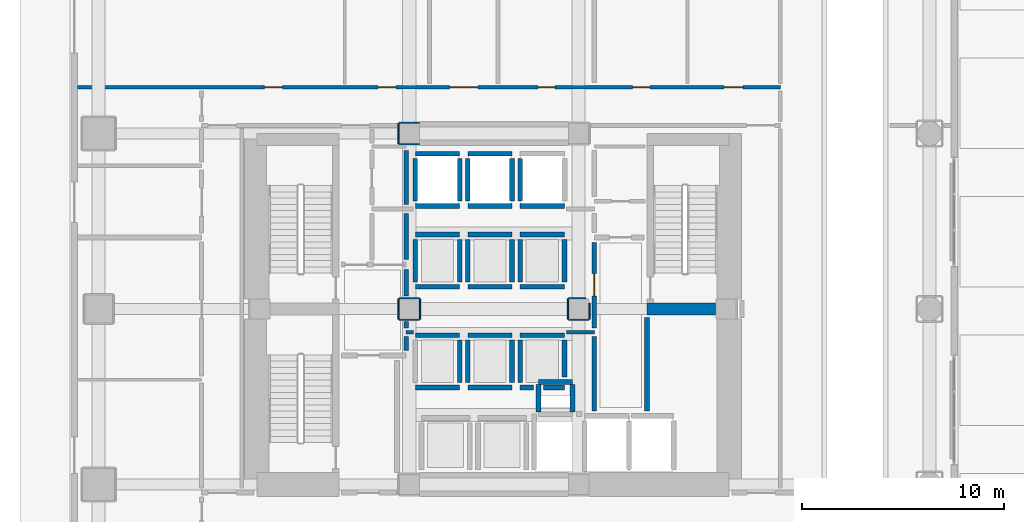
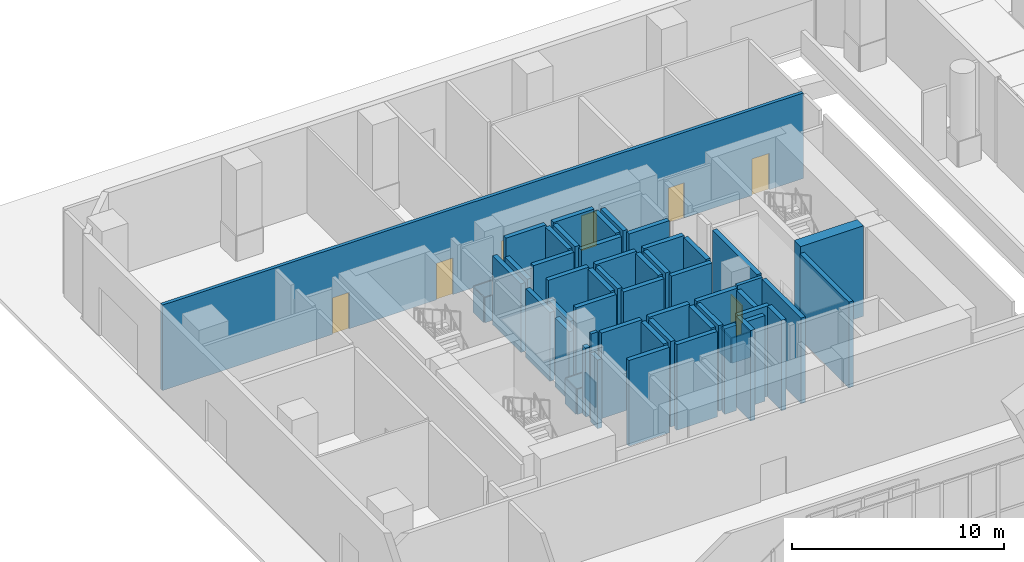
# One storey, part 21 of 30: 60 walls, 7 doors, 7 openings.
"""IFC4 building model written with IfcOpenShell, lengths in metres."""

from ifc_helpers import new_model, si_unit, direction, frame, frame_2d, origin, place, context, subcontext, project, spatial, rectangle, extrude, material, layer, layer_set, type_object, element, fill, save


model = new_model("IFC4")

# Units and contexts
model_context = context("Model", 3, precision=1e-05, world=origin(), true_north=direction((0.0, 1.0)))
body_context = subcontext(model_context, "Body", "Model", "MODEL_VIEW")
ifc_project = project(units=[si_unit("LENGTHUNIT", "METRE"), si_unit("AREAUNIT", "SQUARE_METRE"), si_unit("VOLUMEUNIT", "CUBIC_METRE"), si_unit("PLANEANGLEUNIT", "RADIAN"), si_unit("MASSUNIT", "GRAM", prefix="KILO")], contexts=[model_context])

# Site, building, storey
site_placement = place(None, origin())
site = spatial("IfcSite", under=ifc_project, at=site_placement, CompositionType="ELEMENT")
building_placement = place(site_placement, origin())
building = spatial("IfcBuilding", under=site, at=building_placement, Name="Solanera Arch Residences", CompositionType="ELEMENT")
storey_placement = place(building_placement, origin())
storey = spatial("IfcBuildingStorey", under=building, at=storey_placement, Name="L00", CompositionType="ELEMENT", Elevation=0.0)

# Walls
ifc_material_1 = material(Name="Fire-Rated Gypsum Stud Partition", Category="gypsum")
ifc_layer_1 = layer(ifc_material_1, 0.06005859375)
ifc_layer_set_1 = layer_set([ifc_layer_1], Name="Fire-Rated Gypsum Stud Partition")
wall_type_1 = type_object("IfcWallType", Name="Column Acoustic Furring Wall 60", PredefinedType="PARTITIONING", material=ifc_layer_set_1)
for number, where, z_axis, x_axis, name in (
    (1, (20.300048828125, 38.867919921875, 0.0), (0.0, 0.0, 1.0), (1.0, 0.0, 0.0), "L00 Column Furring 3S"),
    (2, (20.300048828125, 39.931884765625, 0.0), (0.0, 0.0, 1.0), (1.0, 0.0, 0.0), "L00 Column Furring 3N"),
):
    element("IfcWall", number, at=place(storey_placement, frame(where, z_axis=z_axis, x_axis=x_axis)), inside=storey, type_object=wall_type_1, Name=name, PredefinedType="PARTITIONING", context=body_context, shape_type="SweptSolid", body=[
        extrude(rectangle(XDim=0.989990234375, YDim=0.06005859375, at=frame_2d((0.4951171875, 0.0))), origin(), (0.0, 0.0, 1.0), 1.449951171875),
    ])
for number, where, z_axis, x_axis, name in (
    (3, (20.26806640625, 38.89990234375, 0.0), (0.0, 0.0, 1.0), (0.0, 1.0, 0.0), "L00 Column Furring 3W"),
    (4, (20.300048828125, 30.16796875, 0.0), (0.0, 0.0, 1.0), (1.0, 0.0, 0.0), "L00 Column Furring 7S"),
    (5, (20.300048828125, 31.23193359375, 0.0), (0.0, 0.0, 1.0), (1.0, 0.0, 0.0), "L00 Column Furring 7N"),
    (6, (20.26806640625, 30.199951171875, 0.0), (0.0, 0.0, 1.0), (0.0, 1.0, 0.0), "L00 Column Furring 7W"),
    (7, (21.33203125, 30.199951171875, 0.0), (0.0, 0.0, 1.0), (0.0, 1.0, 0.0), "L00 Column Furring 7E"),
    (8, (28.699951171875, 30.16796875, 0.0), (0.0, 0.0, 1.0), (1.0, 0.0, 0.0), "L00 Column Furring 8S"),
):
    element("IfcWall", number, at=place(storey_placement, frame(where, z_axis=z_axis, x_axis=x_axis)), inside=storey, type_object=wall_type_1, Name=name, PredefinedType="PARTITIONING", context=body_context, shape_type="SweptSolid", body=[
        extrude(rectangle(XDim=1.0, YDim=0.06005859375, at=frame_2d((0.5, 0.0))), origin(), (0.0, 0.0, 1.0), 1.449951171875),
    ])
wall_1_placement = place(storey_placement, frame((28.699951171875, 31.23193359375, 0.0), z_axis=(0.0, 0.0, 1.0), x_axis=(1.0, 0.0, 0.0)))
element("IfcWall", 9, at=wall_1_placement, inside=storey, type_object=wall_type_1, Name="L00 Column Furring 8N", PredefinedType="PARTITIONING", context=body_context, shape_type="SweptSolid", body=[
    extrude(rectangle(XDim=0.841064453125, YDim=0.06005859375, at=frame_2d((0.42041015625, 0.0))), origin(), (0.0, 0.0, 1.0), 1.449951171875),
])
wall_2_placement = place(storey_placement, frame((28.66796875, 30.199951171875, 0.0), z_axis=(0.0, 0.0, 1.0), x_axis=(0.0, 1.0, 0.0)))
element("IfcWall", 10, at=wall_2_placement, inside=storey, type_object=wall_type_1, Name="L00 Column Furring 8W", PredefinedType="PARTITIONING", context=body_context, shape_type="SweptSolid", body=[
    extrude(rectangle(XDim=1.0, YDim=0.06005859375, at=frame_2d((0.5, 0.0))), origin(), (0.0, 0.0, 1.0), 1.449951171875),
])
wall_3_placement = place(storey_placement, frame((29.73193359375, 30.199951171875, 0.0), z_axis=(0.0, 0.0, 1.0), x_axis=(0.0, 1.0, 0.0)))
element("IfcWall", 11, at=wall_3_placement, inside=storey, type_object=wall_type_1, Name="L00 Column Furring 8E", PredefinedType="PARTITIONING", context=body_context, shape_type="SweptSolid", body=[
    extrude(rectangle(XDim=0.77197265625, YDim=0.06005859375, at=frame_2d((0.385986328125, 0.0))), origin(), (0.0, 0.0, 1.0), 1.449951171875),
])
ifc_material_2 = material(Name="Concrete C40/50 (f'c = 45 MPa)", Category="concrete")
ifc_layer_2 = layer(ifc_material_2, 0.60009765625)
ifc_layer_set_2 = layer_set([ifc_layer_2], Name="Concrete C40/50 (f'c = 45 MPa)")
wall_type_2 = type_object("IfcWallType", Name="Core Shear Wall CW-600", PredefinedType="SHEAR", material=ifc_layer_set_2)
wall_4_placement = place(storey_placement, frame((32.580078125, 30.699951171875, 0.0), z_axis=(0.0, 0.0, 1.0), x_axis=(1.0, 0.0, 0.0)))
element("IfcWall", 12, at=wall_4_placement, inside=storey, type_object=wall_type_2, Name="L00 East Stair Far-Landing Shear Wall", PredefinedType="SHEAR", context=body_context, shape_type="SweptSolid", body=[
    extrude(rectangle(XDim=3.4150390625, YDim=0.60009765625, at=frame_2d((1.70751953125, 0.0))), origin(), (0.0, 0.0, 1.0), 5.199951171875),
])
ifc_material_3 = material(Name="Autoclaved Aerated Concrete Blockwork", Category="masonry")
ifc_layer_3 = layer(ifc_material_3, 0.179931640625)
ifc_layer_set_3 = layer_set([ifc_layer_3], Name="Autoclaved Aerated Concrete Blockwork")
wall_type_3 = type_object("IfcWallType", Name="Corridor Fire Partition 180", PredefinedType="PARTITIONING", material=ifc_layer_set_3)
wall_5_placement = place(storey_placement, frame((20.64990234375, 29.550048828125, 0.0), z_axis=(0.0, 0.0, 1.0), x_axis=(1.0, 0.0, 0.0)))
element("IfcWall", 13, at=wall_5_placement, inside=storey, type_object=wall_type_3, Name="L00 Interior Partition H15 1", PredefinedType="PARTITIONING", context=body_context, shape_type="SweptSolid", body=[
    extrude(rectangle(XDim=0.357177734375, YDim=0.179931640625, at=frame_2d((0.1787109375, 0.0))), origin(), (0.0, 0.0, 1.0), 4.919921875),
])
wall_6_placement = place(storey_placement, frame((28.593017578125, 29.550048828125, 0.0), z_axis=(0.0, 0.0, 1.0), x_axis=(1.0, 0.0, 0.0)))
element("IfcWall", 14, at=wall_6_placement, inside=storey, type_object=wall_type_3, Name="L00 Interior Partition H15 2", PredefinedType="PARTITIONING", context=body_context, shape_type="SweptSolid", body=[
    extrude(rectangle(XDim=1.382080078125, YDim=0.179931640625, at=frame_2d((0.69091796875, 0.0))), origin(), (0.0, 0.0, 1.0), 4.919921875),
])

# Wall, openings, doors
wall_7_placement = place(storey_placement, frame((4.35205078125, 41.699951171875, 0.0), z_axis=(0.0, 0.0, 1.0), x_axis=(1.0, 0.0, 0.0)))
wall_7 = element("IfcWall", 15, at=wall_7_placement, inside=storey, type_object=wall_type_3, Name="L00 Interior Partition H21", PredefinedType="PARTITIONING", context=body_context, shape_type="SweptSolid", body=[
    extrude(rectangle(XDim=34.847900390625, YDim=0.179931640625, at=frame_2d((17.423828125, 0.0))), origin(), (0.0, 0.0, 1.0), 4.919921875),
])
opening_1_placement = place(wall_7_placement, frame((18.447998046875, 0.0, 0.0)))
opening_1 = element("IfcOpeningElement", 16, at=opening_1_placement, cuts=wall_7, Name="Opening DF-03", PredefinedType="OPENING", context=body_context, shape_type="SweptSolid", body=[
    extrude(rectangle(XDim=1.39990234375, YDim=2.14990234375, at=frame_2d((0.699951171875, 1.074951171875))), frame((0.0, 0.10009765625, 0.0), z_axis=(0.0, -1.0, 0.0), x_axis=(1.0, 0.0, 0.0)), (0.0, 0.0, 1.0), 0.1999),
])
opening_2_placement = place(wall_7_placement, frame((9.258056640625, 0.0, 0.0)))
opening_2 = element("IfcOpeningElement", 17, at=opening_2_placement, cuts=wall_7, Name="Opening DI-02", PredefinedType="OPENING", context=body_context, shape_type="SweptSolid", body=[
    extrude(rectangle(XDim=0.89990234375, YDim=2.10009765625, at=frame_2d((0.449951171875, 1.050048828125))), frame((0.0, 0.10009765625, 0.0), z_axis=(0.0, -1.0, 0.0), x_axis=(1.0, 0.0, 0.0)), (0.0, 0.0, 1.0), 0.1999),
])
opening_3_placement = place(wall_7_placement, frame((14.89794921875, 0.0, 0.0)))
opening_3 = element("IfcOpeningElement", 18, at=opening_3_placement, cuts=wall_7, Name="Opening DI-02", PredefinedType="OPENING", context=body_context, shape_type="SweptSolid", body=[
    extrude(rectangle(XDim=0.89990234375, YDim=2.10009765625, at=frame_2d((0.449951171875, 1.050048828125))), frame((0.0, 0.10009765625, 0.0), z_axis=(0.0, -1.0, 0.0), x_axis=(1.0, 0.0, 0.0)), (0.0, 0.0, 1.0), 0.1999),
])
opening_4_placement = place(wall_7_placement, frame((22.818115234375, 0.0, 0.0)))
opening_4 = element("IfcOpeningElement", 19, at=opening_4_placement, cuts=wall_7, Name="Opening DI-05", PredefinedType="OPENING", context=body_context, shape_type="SweptSolid", body=[
    extrude(rectangle(XDim=0.860107421875, YDim=2.02001953125, at=frame_2d((0.43017578125, 1.010009765625))), frame((0.0, 0.10009765625, 0.0), z_axis=(0.0, -1.0, 0.0), x_axis=(1.0, 0.0, 0.0)), (0.0, 0.0, 1.0), 0.1999),
])
opening_5_placement = place(wall_7_placement, frame((27.51806640625, 0.0, 0.0)))
opening_5 = element("IfcOpeningElement", 20, at=opening_5_placement, cuts=wall_7, Name="Opening DI-05", PredefinedType="OPENING", context=body_context, shape_type="SweptSolid", body=[
    extrude(rectangle(XDim=0.860107421875, YDim=2.02001953125, at=frame_2d((0.43017578125, 1.010009765625))), frame((0.0, 0.10009765625, 0.0), z_axis=(0.0, -1.0, 0.0), x_axis=(1.0, 0.0, 0.0)), (0.0, 0.0, 1.0), 0.1999),
])
opening_6_placement = place(wall_7_placement, frame((32.049072265625, 0.0, 0.0)))
opening_6 = element("IfcOpeningElement", 21, at=opening_6_placement, cuts=wall_7, Name="Opening DI-04", PredefinedType="OPENING", context=body_context, shape_type="SweptSolid", body=[
    extrude(rectangle(XDim=0.949951171875, YDim=2.10009765625, at=frame_2d((0.47509765625, 1.050048828125))), frame((0.0, 0.10009765625, 0.0), z_axis=(0.0, -1.0, 0.0), x_axis=(1.0, 0.0, 0.0)), (0.0, 0.0, 1.0), 0.1999),
])
ifc_material_4 = material(Name="Fire-Rated Architectural Hardwood", Category="wood")
door_type_1 = type_object("IfcDoorType", Name="Accessible Restroom Door DI-04", OperationType="NOTDEFINED", PredefinedType="DOOR", material=ifc_material_4)
door_1_placement = place(opening_6_placement, origin())
door_1 = element("IfcDoor", 22, at=door_1_placement, inside=storey, type_object=door_type_1, Name="DR-L00-IN-040", OperationType="SINGLE_SWING_RIGHT", OverallHeight=2.10009765625, OverallWidth=0.949951171875, PredefinedType="DOOR", context=body_context, shape_type="SweptSolid", body=[
    extrude(rectangle(XDim=0.949951171875, YDim=2.10009765625, at=frame_2d((0.47509765625, 1.050048828125))), frame((0.0, 0.02490234375, 0.0), z_axis=(0.0, -1.0, 0.0), x_axis=(1.0, 0.0, 0.0)), (0.0, 0.0, 1.0), 0.050048828125),
])
fill(opening_6, door_1)
ifc_material_5 = material(Name="Fire-Rated Architectural Hardwood", Category="wood")
door_type_2 = type_object("IfcDoorType", Name="Bathroom Swing Door DI-05", OperationType="NOTDEFINED", PredefinedType="DOOR", material=ifc_material_5)
door_2_placement = place(opening_4_placement, origin())
door_2 = element("IfcDoor", 23, at=door_2_placement, inside=storey, type_object=door_type_2, Name="DR-L00-IN-038", OperationType="SINGLE_SWING_RIGHT", OverallHeight=2.02001953125, OverallWidth=0.860107421875, PredefinedType="DOOR", context=body_context, shape_type="SweptSolid", body=[
    extrude(rectangle(XDim=0.860107421875, YDim=2.02001953125, at=frame_2d((0.43017578125, 1.010009765625))), frame((0.0, 0.02490234375, 0.0), z_axis=(0.0, -1.0, 0.0), x_axis=(1.0, 0.0, 0.0)), (0.0, 0.0, 1.0), 0.050048828125),
])
fill(opening_4, door_2)
door_3_placement = place(opening_5_placement, origin())
door_3 = element("IfcDoor", 24, at=door_3_placement, inside=storey, type_object=door_type_2, Name="DR-L00-IN-039", OperationType="SINGLE_SWING_LEFT", OverallHeight=2.02001953125, OverallWidth=0.860107421875, PredefinedType="DOOR", context=body_context, shape_type="SweptSolid", body=[
    extrude(rectangle(XDim=0.860107421875, YDim=2.02001953125, at=frame_2d((0.43017578125, 1.010009765625))), frame((0.0, 0.02490234375, 0.0), z_axis=(0.0, -1.0, 0.0), x_axis=(1.0, 0.0, 0.0)), (0.0, 0.0, 1.0), 0.050048828125),
])
fill(opening_5, door_3)
ifc_material_6 = material(Name="Fire-Rated Architectural Hardwood", Category="wood")
door_type_3 = type_object("IfcDoorType", Name="Corridor Smoke Door DF-03", OperationType="NOTDEFINED", PredefinedType="DOOR", material=ifc_material_6)
door_4_placement = place(opening_1_placement, origin())
door_4 = element("IfcDoor", 25, at=door_4_placement, inside=storey, type_object=door_type_3, Name="DR-L00-IN-021", OperationType="SINGLE_SWING_LEFT", OverallHeight=2.14990234375, OverallWidth=1.39990234375, PredefinedType="DOOR", context=body_context, shape_type="SweptSolid", body=[
    extrude(rectangle(XDim=1.39990234375, YDim=2.14990234375, at=frame_2d((0.699951171875, 1.074951171875))), frame((0.0, 0.02490234375, 0.0), z_axis=(0.0, -1.0, 0.0), x_axis=(1.0, 0.0, 0.0)), (0.0, 0.0, 1.0), 0.050048828125),
])
fill(opening_1, door_4)
ifc_material_7 = material(Name="Fire-Rated Architectural Hardwood", Category="wood")
door_type_4 = type_object("IfcDoorType", Name="Suite Room Swing Door DI-02", OperationType="NOTDEFINED", PredefinedType="DOOR", material=ifc_material_7)
door_5_placement = place(opening_2_placement, origin())
door_5 = element("IfcDoor", 26, at=door_5_placement, inside=storey, type_object=door_type_4, Name="DR-L00-IN-036", OperationType="SINGLE_SWING_RIGHT", OverallHeight=2.10009765625, OverallWidth=0.89990234375, PredefinedType="DOOR", context=body_context, shape_type="SweptSolid", body=[
    extrude(rectangle(XDim=0.89990234375, YDim=2.10009765625, at=frame_2d((0.449951171875, 1.050048828125))), frame((0.0, 0.02490234375, 0.0), z_axis=(0.0, -1.0, 0.0), x_axis=(1.0, 0.0, 0.0)), (0.0, 0.0, 1.0), 0.050048828125),
])
fill(opening_2, door_5)
door_6_placement = place(opening_3_placement, origin())
door_6 = element("IfcDoor", 27, at=door_6_placement, inside=storey, type_object=door_type_4, Name="DR-L00-IN-037", OperationType="SINGLE_SWING_LEFT", OverallHeight=2.10009765625, OverallWidth=0.89990234375, PredefinedType="DOOR", context=body_context, shape_type="SweptSolid", body=[
    extrude(rectangle(XDim=0.89990234375, YDim=2.10009765625, at=frame_2d((0.449951171875, 1.050048828125))), frame((0.0, 0.02490234375, 0.0), z_axis=(0.0, -1.0, 0.0), x_axis=(1.0, 0.0, 0.0)), (0.0, 0.0, 1.0), 0.050048828125),
])
fill(opening_3, door_6)

# Walls
ifc_material_8 = material(Name="Concrete C40/50 (f'c = 45 MPa)", Category="concrete")
ifc_layer_4 = layer(ifc_material_8, 0.239990234375)
ifc_layer_set_4 = layer_set([ifc_layer_4], Name="Concrete C40/50 (f'c = 45 MPa)")
wall_type_4 = type_object("IfcWallType", Name="Ramp Bearing Shear Wall RW-240", PredefinedType="SHEAR", material=ifc_layer_set_4)
wall_8_placement = place(storey_placement, frame((27.199951171875, 27.080078125, 0.0), z_axis=(0.0, 0.0, 1.0), x_axis=(1.0, 0.0, 0.0)))
element("IfcWall", 28, at=wall_8_placement, inside=storey, type_object=wall_type_4, Name="L00 Core MEP Riser North Shaft Wall", PredefinedType="SHEAR", context=body_context, shape_type="SweptSolid", body=[
    extrude(rectangle(XDim=1.699951171875, YDim=0.239990234375, at=frame_2d((0.85009765625, 0.0))), origin(), (0.0, 0.0, 1.0), 5.199951171875),
])
for number, where, z_axis, x_axis, name in (
    (29, (27.199951171875, 25.60009765625, 0.0), (0.0, 0.0, 1.0), (0.0, 1.0, 0.0), "L00 Core MEP Riser West Shaft Wall"),
    (30, (28.89990234375, 25.60009765625, 0.0), (0.0, 0.0, 1.0), (0.0, 1.0, 0.0), "L00 Core MEP Riser East Shaft Wall"),
):
    element("IfcWall", number, at=place(storey_placement, frame(where, z_axis=z_axis, x_axis=x_axis)), inside=storey, type_object=wall_type_4, Name=name, PredefinedType="SHEAR", context=body_context, shape_type="SweptSolid", body=[
        extrude(rectangle(XDim=1.35986328125, YDim=0.239990234375, at=frame_2d((0.679931640625, 0.0))), origin(), (0.0, 0.0, 1.0), 5.199951171875),
    ])
ifc_material_9 = material(Name="Autoclaved Aerated Concrete Blockwork", Category="masonry")
ifc_layer_5 = layer(ifc_material_9, 0.239990234375)
ifc_layer_set_5 = layer_set([ifc_layer_5], Name="Autoclaved Aerated Concrete Blockwork")
wall_type_5 = type_object("IfcWallType", Name="Shaft Wall Fire-Rated 240", PredefinedType="PARTITIONING", material=ifc_layer_set_5)
for number, where, z_axis, x_axis, name in (
    (31, (21.10009765625, 35.800048828125, 0.0), (0.0, 0.0, 1.0), (1.0, 0.0, 0.0), "L00 Lift PL-L1 Hoistway Wall S"),
    (32, (21.10009765625, 38.39990234375, 0.0), (0.0, 0.0, 1.0), (1.0, 0.0, 0.0), "L00 Lift PL-L1 Hoistway Wall N"),
):
    element("IfcWall", number, at=place(storey_placement, frame(where, z_axis=z_axis, x_axis=x_axis)), inside=storey, type_object=wall_type_5, Name=name, PredefinedType="PARTITIONING", context=body_context, shape_type="SweptSolid", body=[
        extrude(rectangle(XDim=2.199951171875, YDim=0.239990234375, at=frame_2d((1.10009765625, 0.0))), origin(), (0.0, 0.0, 1.0), 4.919921875),
    ])
wall_9_placement = place(storey_placement, frame((21.10009765625, 36.048095703125, 0.0), z_axis=(0.0, 0.0, 1.0), x_axis=(0.0, 1.0, 0.0)))
element("IfcWall", 33, at=wall_9_placement, inside=storey, type_object=wall_type_5, Name="L00 Lift PL-L1 Hoistway Wall W", PredefinedType="PARTITIONING", context=body_context, shape_type="SweptSolid", body=[
    extrude(rectangle(XDim=2.10400390625, YDim=0.239990234375, at=frame_2d((1.052001953125, 0.0))), origin(), (0.0, 0.0, 1.0), 3.955078125),
])
wall_10_placement = place(storey_placement, frame((23.300048828125, 36.048095703125, 0.0), z_axis=(0.0, 0.0, 1.0), x_axis=(0.0, 1.0, 0.0)))
element("IfcWall", 34, at=wall_10_placement, inside=storey, type_object=wall_type_5, Name="L00 Lift PL-L1 Hoistway Wall E", PredefinedType="PARTITIONING", context=body_context, shape_type="SweptSolid", body=[
    extrude(rectangle(XDim=2.10400390625, YDim=0.239990234375, at=frame_2d((1.052001953125, 0.0))), origin(), (0.0, 0.0, 1.0), 4.919921875),
])
for number, where, z_axis, x_axis, name in (
    (35, (21.10009765625, 31.800048828125, 0.0), (0.0, 0.0, 1.0), (1.0, 0.0, 0.0), "L00 Lift PL-M1 Hoistway Wall S"),
    (36, (21.10009765625, 34.39990234375, 0.0), (0.0, 0.0, 1.0), (1.0, 0.0, 0.0), "L00 Lift PL-M1 Hoistway Wall N"),
):
    element("IfcWall", number, at=place(storey_placement, frame(where, z_axis=z_axis, x_axis=x_axis)), inside=storey, type_object=wall_type_5, Name=name, PredefinedType="PARTITIONING", context=body_context, shape_type="SweptSolid", body=[
        extrude(rectangle(XDim=2.199951171875, YDim=0.239990234375, at=frame_2d((1.10009765625, 0.0))), origin(), (0.0, 0.0, 1.0), 4.919921875),
    ])
wall_11_placement = place(storey_placement, frame((21.10009765625, 32.048095703125, 0.0), z_axis=(0.0, 0.0, 1.0), x_axis=(0.0, 1.0, 0.0)))
element("IfcWall", 37, at=wall_11_placement, inside=storey, type_object=wall_type_5, Name="L00 Lift PL-M1 Hoistway Wall W", PredefinedType="PARTITIONING", context=body_context, shape_type="SweptSolid", body=[
    extrude(rectangle(XDim=2.10400390625, YDim=0.239990234375, at=frame_2d((1.052001953125, 0.0))), origin(), (0.0, 0.0, 1.0), 3.955078125),
])
wall_12_placement = place(storey_placement, frame((23.300048828125, 32.048095703125, 0.0), z_axis=(0.0, 0.0, 1.0), x_axis=(0.0, 1.0, 0.0)))
element("IfcWall", 38, at=wall_12_placement, inside=storey, type_object=wall_type_5, Name="L00 Lift PL-M1 Hoistway Wall E", PredefinedType="PARTITIONING", context=body_context, shape_type="SweptSolid", body=[
    extrude(rectangle(XDim=2.10400390625, YDim=0.239990234375, at=frame_2d((1.052001953125, 0.0))), origin(), (0.0, 0.0, 1.0), 4.919921875),
])
for number, where, z_axis, x_axis, name in (
    (39, (21.10009765625, 26.800048828125, 0.0), (0.0, 0.0, 1.0), (1.0, 0.0, 0.0), "L00 Lift PL-H1 Hoistway Wall S"),
    (40, (21.10009765625, 29.39990234375, 0.0), (0.0, 0.0, 1.0), (1.0, 0.0, 0.0), "L00 Lift PL-H1 Hoistway Wall N"),
):
    element("IfcWall", number, at=place(storey_placement, frame(where, z_axis=z_axis, x_axis=x_axis)), inside=storey, type_object=wall_type_5, Name=name, PredefinedType="PARTITIONING", context=body_context, shape_type="SweptSolid", body=[
        extrude(rectangle(XDim=2.199951171875, YDim=0.239990234375, at=frame_2d((1.10009765625, 0.0))), origin(), (0.0, 0.0, 1.0), 4.919921875),
    ])
wall_13_placement = place(storey_placement, frame((23.300048828125, 27.048095703125, 0.0), z_axis=(0.0, 0.0, 1.0), x_axis=(0.0, 1.0, 0.0)))
element("IfcWall", 41, at=wall_13_placement, inside=storey, type_object=wall_type_5, Name="L00 Lift PL-H1 Hoistway Wall E", PredefinedType="PARTITIONING", context=body_context, shape_type="SweptSolid", body=[
    extrude(rectangle(XDim=2.10400390625, YDim=0.239990234375, at=frame_2d((1.052001953125, 0.0))), origin(), (0.0, 0.0, 1.0), 4.919921875),
])
for number, where, z_axis, x_axis, name in (
    (42, (23.699951171875, 35.800048828125, 0.0), (0.0, 0.0, 1.0), (1.0, 0.0, 0.0), "L00 Lift PL-L2 Hoistway Wall S"),
    (43, (23.699951171875, 38.39990234375, 0.0), (0.0, 0.0, 1.0), (1.0, 0.0, 0.0), "L00 Lift PL-L2 Hoistway Wall N"),
):
    element("IfcWall", number, at=place(storey_placement, frame(where, z_axis=z_axis, x_axis=x_axis)), inside=storey, type_object=wall_type_5, Name=name, PredefinedType="PARTITIONING", context=body_context, shape_type="SweptSolid", body=[
        extrude(rectangle(XDim=2.199951171875, YDim=0.239990234375, at=frame_2d((1.10009765625, 0.0))), origin(), (0.0, 0.0, 1.0), 4.919921875),
    ])
for number, where, z_axis, x_axis, name in (
    (44, (23.699951171875, 36.048095703125, 0.0), (0.0, 0.0, 1.0), (0.0, 1.0, 0.0), "L00 Lift PL-L2 Hoistway Wall W"),
    (45, (25.89990234375, 36.048095703125, 0.0), (0.0, 0.0, 1.0), (0.0, 1.0, 0.0), "L00 Lift PL-L2 Hoistway Wall E"),
):
    element("IfcWall", number, at=place(storey_placement, frame(where, z_axis=z_axis, x_axis=x_axis)), inside=storey, type_object=wall_type_5, Name=name, PredefinedType="PARTITIONING", context=body_context, shape_type="SweptSolid", body=[
        extrude(rectangle(XDim=2.10400390625, YDim=0.239990234375, at=frame_2d((1.052001953125, 0.0))), origin(), (0.0, 0.0, 1.0), 4.919921875),
    ])
for number, where, z_axis, x_axis, name in (
    (46, (23.699951171875, 31.800048828125, 0.0), (0.0, 0.0, 1.0), (1.0, 0.0, 0.0), "L00 Lift PL-M2 Hoistway Wall S"),
    (47, (23.699951171875, 34.39990234375, 0.0), (0.0, 0.0, 1.0), (1.0, 0.0, 0.0), "L00 Lift PL-M2 Hoistway Wall N"),
):
    element("IfcWall", number, at=place(storey_placement, frame(where, z_axis=z_axis, x_axis=x_axis)), inside=storey, type_object=wall_type_5, Name=name, PredefinedType="PARTITIONING", context=body_context, shape_type="SweptSolid", body=[
        extrude(rectangle(XDim=2.199951171875, YDim=0.239990234375, at=frame_2d((1.10009765625, 0.0))), origin(), (0.0, 0.0, 1.0), 4.919921875),
    ])
for number, where, z_axis, x_axis, name in (
    (48, (23.699951171875, 32.048095703125, 0.0), (0.0, 0.0, 1.0), (0.0, 1.0, 0.0), "L00 Lift PL-M2 Hoistway Wall W"),
    (49, (25.89990234375, 32.048095703125, 0.0), (0.0, 0.0, 1.0), (0.0, 1.0, 0.0), "L00 Lift PL-M2 Hoistway Wall E"),
):
    element("IfcWall", number, at=place(storey_placement, frame(where, z_axis=z_axis, x_axis=x_axis)), inside=storey, type_object=wall_type_5, Name=name, PredefinedType="PARTITIONING", context=body_context, shape_type="SweptSolid", body=[
        extrude(rectangle(XDim=2.10400390625, YDim=0.239990234375, at=frame_2d((1.052001953125, 0.0))), origin(), (0.0, 0.0, 1.0), 4.919921875),
    ])
for number, where, z_axis, x_axis, name in (
    (50, (23.699951171875, 26.800048828125, 0.0), (0.0, 0.0, 1.0), (1.0, 0.0, 0.0), "L00 Lift PL-H2 Hoistway Wall S"),
    (51, (23.699951171875, 29.39990234375, 0.0), (0.0, 0.0, 1.0), (1.0, 0.0, 0.0), "L00 Lift PL-H2 Hoistway Wall N"),
):
    element("IfcWall", number, at=place(storey_placement, frame(where, z_axis=z_axis, x_axis=x_axis)), inside=storey, type_object=wall_type_5, Name=name, PredefinedType="PARTITIONING", context=body_context, shape_type="SweptSolid", body=[
        extrude(rectangle(XDim=2.199951171875, YDim=0.239990234375, at=frame_2d((1.10009765625, 0.0))), origin(), (0.0, 0.0, 1.0), 4.919921875),
    ])
for number, where, z_axis, x_axis, name in (
    (52, (23.699951171875, 27.048095703125, 0.0), (0.0, 0.0, 1.0), (0.0, 1.0, 0.0), "L00 Lift PL-H2 Hoistway Wall W"),
    (53, (25.89990234375, 27.048095703125, 0.0), (0.0, 0.0, 1.0), (0.0, 1.0, 0.0), "L00 Lift PL-H2 Hoistway Wall E"),
):
    element("IfcWall", number, at=place(storey_placement, frame(where, z_axis=z_axis, x_axis=x_axis)), inside=storey, type_object=wall_type_5, Name=name, PredefinedType="PARTITIONING", context=body_context, shape_type="SweptSolid", body=[
        extrude(rectangle(XDim=2.10400390625, YDim=0.239990234375, at=frame_2d((1.052001953125, 0.0))), origin(), (0.0, 0.0, 1.0), 4.919921875),
    ])
wall_14_placement = place(storey_placement, frame((26.300048828125, 35.800048828125, 0.0), z_axis=(0.0, 0.0, 1.0), x_axis=(1.0, 0.0, 0.0)))
element("IfcWall", 54, at=wall_14_placement, inside=storey, type_object=wall_type_5, Name="L00 Lift PL-L3 Hoistway Wall S", PredefinedType="PARTITIONING", context=body_context, shape_type="SweptSolid", body=[
    extrude(rectangle(XDim=2.199951171875, YDim=0.239990234375, at=frame_2d((1.10009765625, 0.0))), origin(), (0.0, 0.0, 1.0), 4.919921875),
])
wall_15_placement = place(storey_placement, frame((26.300048828125, 36.048095703125, 0.0), z_axis=(0.0, 0.0, 1.0), x_axis=(0.0, 1.0, 0.0)))
element("IfcWall", 55, at=wall_15_placement, inside=storey, type_object=wall_type_5, Name="L00 Lift PL-L3 Hoistway Wall W", PredefinedType="PARTITIONING", context=body_context, shape_type="SweptSolid", body=[
    extrude(rectangle(XDim=2.10400390625, YDim=0.239990234375, at=frame_2d((1.052001953125, 0.0))), origin(), (0.0, 0.0, 1.0), 4.919921875),
])
for number, where, z_axis, x_axis, name in (
    (56, (26.300048828125, 31.800048828125, 0.0), (0.0, 0.0, 1.0), (1.0, 0.0, 0.0), "L00 Lift PL-M3 Hoistway Wall S"),
    (57, (26.300048828125, 34.39990234375, 0.0), (0.0, 0.0, 1.0), (1.0, 0.0, 0.0), "L00 Lift PL-M3 Hoistway Wall N"),
):
    element("IfcWall", number, at=place(storey_placement, frame(where, z_axis=z_axis, x_axis=x_axis)), inside=storey, type_object=wall_type_5, Name=name, PredefinedType="PARTITIONING", context=body_context, shape_type="SweptSolid", body=[
        extrude(rectangle(XDim=2.199951171875, YDim=0.239990234375, at=frame_2d((1.10009765625, 0.0))), origin(), (0.0, 0.0, 1.0), 4.919921875),
    ])
for number, where, z_axis, x_axis, name in (
    (58, (26.300048828125, 32.048095703125, 0.0), (0.0, 0.0, 1.0), (0.0, 1.0, 0.0), "L00 Lift PL-M3 Hoistway Wall W"),
    (59, (28.5, 32.048095703125, 0.0), (0.0, 0.0, 1.0), (0.0, 1.0, 0.0), "L00 Lift PL-M3 Hoistway Wall E"),
):
    element("IfcWall", number, at=place(storey_placement, frame(where, z_axis=z_axis, x_axis=x_axis)), inside=storey, type_object=wall_type_5, Name=name, PredefinedType="PARTITIONING", context=body_context, shape_type="SweptSolid", body=[
        extrude(rectangle(XDim=2.10400390625, YDim=0.239990234375, at=frame_2d((1.052001953125, 0.0))), origin(), (0.0, 0.0, 1.0), 4.919921875),
    ])
wall_16_placement = place(storey_placement, frame((26.300048828125, 26.800048828125, 0.0), z_axis=(0.0, 0.0, 1.0), x_axis=(1.0, 0.0, 0.0)))
element("IfcWall", 60, at=wall_16_placement, inside=storey, type_object=wall_type_5, Name="L00 Lift PL-H3 Hoistway Wall S 1", PredefinedType="PARTITIONING", context=body_context, shape_type="SweptSolid", body=[
    extrude(rectangle(XDim=0.64990234375, YDim=0.239990234375, at=frame_2d((0.324951171875, 0.0))), origin(), (0.0, 0.0, 1.0), 4.919921875),
])
wall_17_placement = place(storey_placement, frame((27.449951171875, 26.800048828125, 0.0), z_axis=(0.0, 0.0, 1.0), x_axis=(1.0, 0.0, 0.0)))
element("IfcWall", 61, at=wall_17_placement, inside=storey, type_object=wall_type_5, Name="L00 Lift PL-H3 Hoistway Wall S 2", PredefinedType="PARTITIONING", context=body_context, shape_type="SweptSolid", body=[
    extrude(rectangle(XDim=1.050048828125, YDim=0.239990234375, at=frame_2d((0.52490234375, 0.0))), origin(), (0.0, 0.0, 1.0), 4.919921875),
])
wall_18_placement = place(storey_placement, frame((26.300048828125, 29.39990234375, 0.0), z_axis=(0.0, 0.0, 1.0), x_axis=(1.0, 0.0, 0.0)))
element("IfcWall", 62, at=wall_18_placement, inside=storey, type_object=wall_type_5, Name="L00 Lift PL-H3 Hoistway Wall N", PredefinedType="PARTITIONING", context=body_context, shape_type="SweptSolid", body=[
    extrude(rectangle(XDim=2.199951171875, YDim=0.239990234375, at=frame_2d((1.10009765625, 0.0))), origin(), (0.0, 0.0, 1.0), 4.919921875),
])
wall_19_placement = place(storey_placement, frame((26.300048828125, 27.048095703125, 0.0), z_axis=(0.0, 0.0, 1.0), x_axis=(0.0, 1.0, 0.0)))
element("IfcWall", 63, at=wall_19_placement, inside=storey, type_object=wall_type_5, Name="L00 Lift PL-H3 Hoistway Wall W", PredefinedType="PARTITIONING", context=body_context, shape_type="SweptSolid", body=[
    extrude(rectangle(XDim=2.10400390625, YDim=0.239990234375, at=frame_2d((1.052001953125, 0.0))), origin(), (0.0, 0.0, 1.0), 4.919921875),
])
wall_20_placement = place(storey_placement, frame((28.5, 27.330078125, 0.0), z_axis=(0.0, 0.0, 1.0), x_axis=(0.0, 1.0, 0.0)))
element("IfcWall", 64, at=wall_20_placement, inside=storey, type_object=wall_type_5, Name="L00 Lift PL-H3 Hoistway Wall E", PredefinedType="PARTITIONING", context=body_context, shape_type="SweptSolid", body=[
    extrude(rectangle(XDim=1.822021484375, YDim=0.239990234375, at=frame_2d((0.9111328125, 0.0))), origin(), (0.0, 0.0, 1.0), 4.919921875),
])
wall_21_placement = place(storey_placement, frame((20.64990234375, 28.64794921875, 0.0), z_axis=(0.0, 0.0, 1.0), x_axis=(0.0, 1.0, 0.0)))
element("IfcWall", 65, at=wall_21_placement, inside=storey, type_object=wall_type_5, Name="L00 Interior Partition V3 1", PredefinedType="PARTITIONING", context=body_context, shape_type="SweptSolid", body=[
    extrude(rectangle(XDim=0.68408203125, YDim=0.239990234375, at=frame_2d((0.342041015625, 0.0))), origin(), (0.0, 0.0, 1.0), 3.955078125),
])
wall_22_placement = place(storey_placement, frame((20.64990234375, 29.76806640625, 0.0), z_axis=(0.0, 0.0, 1.0), x_axis=(0.0, 1.0, 0.0)))
element("IfcWall", 66, at=wall_22_placement, inside=storey, type_object=wall_type_5, Name="L00 Interior Partition V3 2", PredefinedType="PARTITIONING", context=body_context, shape_type="SweptSolid", body=[
    extrude(rectangle(XDim=0.300048828125, YDim=0.239990234375, at=frame_2d((0.14990234375, 0.0))), origin(), (0.0, 0.0, 1.0), 3.955078125),
])
wall_23_placement = place(storey_placement, frame((20.64990234375, 31.33203125, 0.0), z_axis=(0.0, 0.0, 1.0), x_axis=(0.0, 1.0, 0.0)))
element("IfcWall", 67, at=wall_23_placement, inside=storey, type_object=wall_type_5, Name="L00 Interior Partition V3 3", PredefinedType="PARTITIONING", context=body_context, shape_type="SweptSolid", body=[
    extrude(rectangle(XDim=1.320068359375, YDim=0.239990234375, at=frame_2d((0.66015625, 0.0))), origin(), (0.0, 0.0, 1.0), 3.955078125),
])
wall_24_placement = place(storey_placement, frame((20.64990234375, 33.14794921875, 0.0), z_axis=(0.0, 0.0, 1.0), x_axis=(0.0, 1.0, 0.0)))
element("IfcWall", 68, at=wall_24_placement, inside=storey, type_object=wall_type_5, Name="L00 Interior Partition V3 4", PredefinedType="PARTITIONING", context=body_context, shape_type="SweptSolid", body=[
    extrude(rectangle(XDim=2.274169921875, YDim=0.239990234375, at=frame_2d((1.13720703125, 0.0))), origin(), (0.0, 0.0, 1.0), 3.955078125),
])
wall_25_placement = place(storey_placement, frame((20.64990234375, 35.8779296875, 0.0), z_axis=(0.0, 0.0, 1.0), x_axis=(0.0, 1.0, 0.0)))
element("IfcWall", 69, at=wall_25_placement, inside=storey, type_object=wall_type_5, Name="L00 Interior Partition V3 5", PredefinedType="PARTITIONING", context=body_context, shape_type="SweptSolid", body=[
    extrude(rectangle(XDim=2.674072265625, YDim=0.239990234375, at=frame_2d((1.3369140625, 0.0))), origin(), (0.0, 0.0, 1.0), 3.955078125),
])
wall_26_placement = place(storey_placement, frame((29.97509765625, 25.64794921875, 0.0), z_axis=(0.0, 0.0, 1.0), x_axis=(0.0, 1.0, 0.0)))
element("IfcWall", 70, at=wall_26_placement, inside=storey, type_object=wall_type_5, Name="L00 Interior Partition V4 1", PredefinedType="PARTITIONING", context=body_context, shape_type="SweptSolid", body=[
    extrude(rectangle(XDim=3.68408203125, YDim=0.239990234375, at=frame_2d((1.842041015625, 0.0))), origin(), (0.0, 0.0, 1.0), 4.919921875),
])

# Wall, opening, door
wall_27_placement = place(storey_placement, frame((29.97509765625, 29.76806640625, 0.0), z_axis=(0.0, 0.0, 1.0), x_axis=(0.0, 1.0, 0.0)))
wall_27 = element("IfcWall", 71, at=wall_27_placement, inside=storey, type_object=wall_type_5, Name="L00 Interior Partition V4 2", PredefinedType="PARTITIONING", context=body_context, shape_type="SweptSolid", body=[
    extrude(rectangle(XDim=4.23388671875, YDim=0.239990234375, at=frame_2d((2.116943359375, 0.0))), origin(), (0.0, 0.0, 1.0), 4.919921875),
])
opening_7_placement = place(wall_27_placement, frame((1.58203125, 0.0, 0.0)))
opening_7 = element("IfcOpeningElement", 72, at=opening_7_placement, cuts=wall_27, Name="Opening DF-02", PredefinedType="OPENING", context=body_context, shape_type="SweptSolid", body=[
    extrude(rectangle(XDim=1.10009765625, YDim=2.14990234375, at=frame_2d((0.550048828125, 1.074951171875))), frame((0.0, 0.1298828125, 0.0), z_axis=(0.0, -1.0, 0.0), x_axis=(1.0, 0.0, 0.0)), (0.0, 0.0, 1.0), 0.26),
])
ifc_material_10 = material(Name="Fire-Rated Architectural Hardwood", Category="wood")
door_type_5 = type_object("IfcDoorType", Name="Firefighting Lobby Fire Door DF-02", OperationType="NOTDEFINED", PredefinedType="DOOR", material=ifc_material_10)
door_7_placement = place(opening_7_placement, origin())
door_7 = element("IfcDoor", 73, at=door_7_placement, inside=storey, type_object=door_type_5, Name="DR-L00-IN-011", OperationType="SINGLE_SWING_LEFT", OverallHeight=2.14990234375, OverallWidth=1.10009765625, PredefinedType="DOOR", context=body_context, shape_type="SweptSolid", body=[
    extrude(rectangle(XDim=1.10009765625, YDim=2.14990234375, at=frame_2d((0.550048828125, 1.074951171875))), frame((0.0, 0.02490234375, 0.0), z_axis=(0.0, -1.0, 0.0), x_axis=(1.0, 0.0, 0.0)), (0.0, 0.0, 1.0), 0.050048828125),
])
fill(opening_7, door_7)

# Wall
wall_28_placement = place(storey_placement, frame((32.580078125, 25.64794921875, 0.0), z_axis=(0.0, 0.0, 1.0), x_axis=(0.0, 1.0, 0.0)))
element("IfcWall", 74, at=wall_28_placement, inside=storey, type_object=wall_type_5, Name="L00 Interior Partition V6", PredefinedType="PARTITIONING", context=body_context, shape_type="SweptSolid", body=[
    extrude(rectangle(XDim=4.6220703125, YDim=0.239990234375, at=frame_2d((2.31103515625, 0.0))), origin(), (0.0, 0.0, 1.0), 4.919921875),
])

save(model, "model.ifc")
